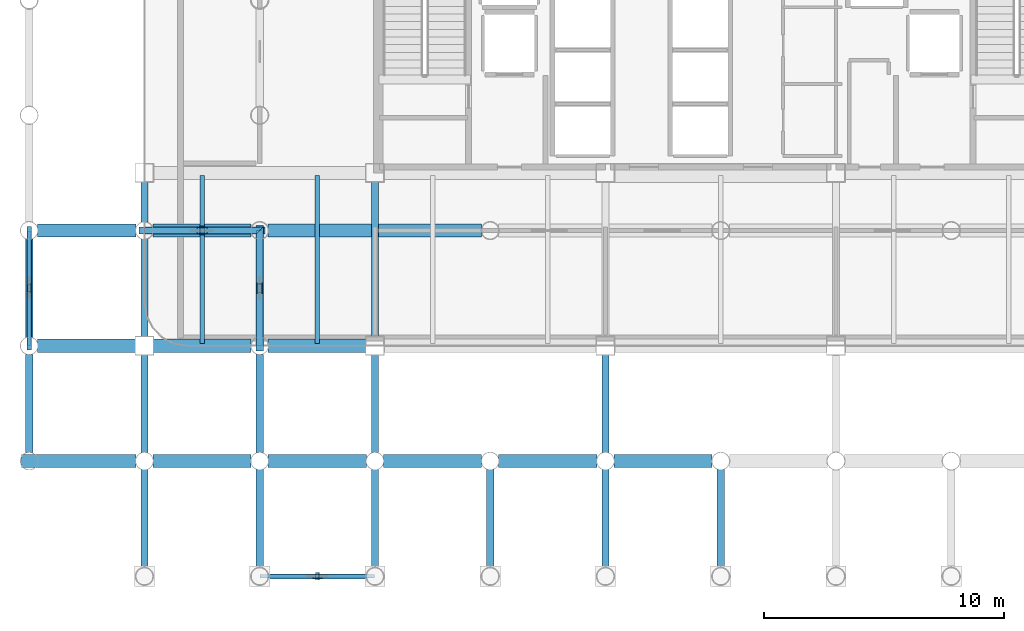
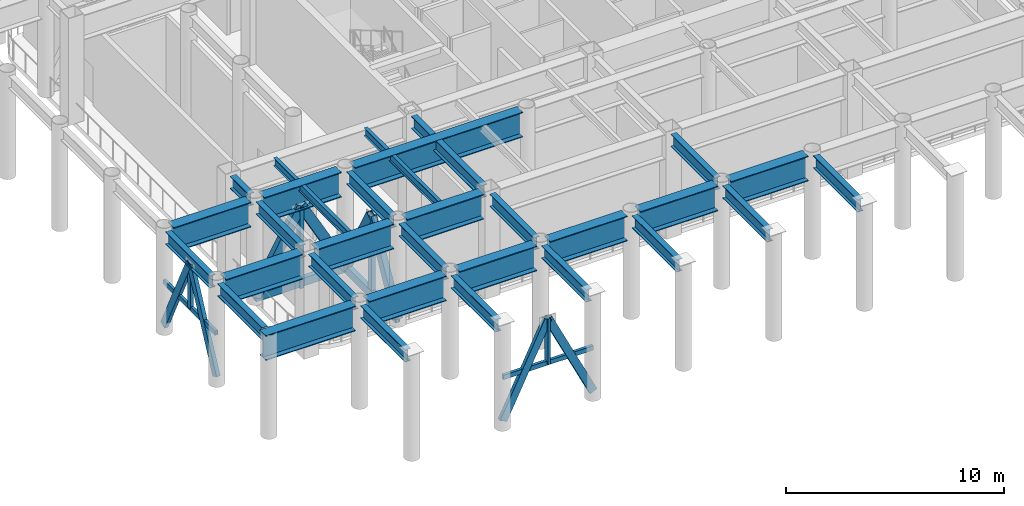
# One storey, part 3 of 19: 30 beams, 16 members.
"""IFC4 building model written with IfcOpenShell, lengths in metres."""

from ifc_helpers import new_model, si_unit, direction, frame, origin, origin_2d, place, context, subcontext, project, spatial, hollow_rectangle, i_section, extrude, material, material_profile, profile_set, type_object, element, save


model = new_model("IFC4")

# Units and contexts
model_context = context("Model", 3, precision=1e-05, world=origin(), true_north=direction((0.0, 1.0)))
body_context = subcontext(model_context, "Body", "Model", "MODEL_VIEW")
ifc_project = project(units=[si_unit("LENGTHUNIT", "METRE"), si_unit("AREAUNIT", "SQUARE_METRE"), si_unit("VOLUMEUNIT", "CUBIC_METRE"), si_unit("PLANEANGLEUNIT", "RADIAN"), si_unit("MASSUNIT", "GRAM", prefix="KILO")], contexts=[model_context])

# Site, building, storey
site_placement = place(None, origin())
site = spatial("IfcSite", under=ifc_project, at=site_placement, CompositionType="ELEMENT")
building_placement = place(site_placement, origin())
building = spatial("IfcBuilding", under=site, at=building_placement, Name="Kallvorn Hotel Tower", CompositionType="ELEMENT")
storey_placement = place(building_placement, frame((0.0, 0.0, 89.199951171875)))
storey = spatial("IfcBuildingStorey", under=building, at=storey_placement, Name="L21", CompositionType="ELEMENT", Elevation=89.199951171875)

# Beams
ifc_material_1 = material(Name="Structural steel S355JR", Category="steel")
ifc_material_profile_1 = material_profile(ifc_material_1, i_section(OverallWidth=0.300048828125, OverallDepth=0.699951171875, WebThickness=0.01708984375, FlangeThickness=0.031982421875, at=origin_2d()), Name="HE 700 B")
ifc_profile_set_1 = profile_set([ifc_material_profile_1], Name="Structural steel S355JR")
beam_type_1 = type_object("IfcBeamType", Name="BM_HE700B", PredefinedType="BEAM", material=ifc_profile_set_1)
for number, where, z_axis, x_axis, name in (
    (1, (-28.800048828125, -18.843994140625, 5.469970703125), (0.0, 1.0, 0.0), (-1.0, 0.0, 0.0), "L22 Primary Y-Girder 86"),
    (2, (-28.800048828125, -14.0439453125, 5.469970703125), (0.0, 1.0, 0.0), (-1.0, 0.0, 0.0), "L22 Primary Y-Girder 87"),
):
    element("IfcBeam", number, at=place(storey_placement, frame(where, z_axis=z_axis, x_axis=x_axis)), inside=storey, type_object=beam_type_1, Name=name, PredefinedType="BEAM", context=body_context, shape_type="SweptSolid", body=[
        extrude(i_section(OverallWidth=0.300048828125, OverallDepth=0.699951171875, WebThickness=0.01708984375, FlangeThickness=0.031982421875, at=origin_2d()), origin(), (0.0, 0.0, 1.0), 4.087890625),
    ])
beam_1_placement = place(storey_placement, frame((-24.0, -23.64404296875, 5.469970703125), z_axis=(0.0, 1.0, 0.0), x_axis=(-1.0, 0.0, 0.0)))
element("IfcBeam", 3, at=beam_1_placement, inside=storey, type_object=beam_type_1, Name="L22 Primary Y-Girder 94", PredefinedType="BEAM", context=body_context, shape_type="SweptSolid", body=[
    extrude(i_section(OverallWidth=0.300048828125, OverallDepth=0.699951171875, WebThickness=0.01708984375, FlangeThickness=0.031982421875, at=origin_2d()), origin(), (0.0, 0.0, 1.0), 4.088134765625),
])
beam_2_placement = place(storey_placement, frame((-24.0, -18.843994140625, 5.469970703125), z_axis=(0.0, 1.0, 0.0), x_axis=(-1.0, 0.0, 0.0)))
element("IfcBeam", 4, at=beam_2_placement, inside=storey, type_object=beam_type_1, Name="L22 Primary Y-Girder 95", PredefinedType="BEAM", context=body_context, shape_type="SweptSolid", body=[
    extrude(i_section(OverallWidth=0.300048828125, OverallDepth=0.699951171875, WebThickness=0.01708984375, FlangeThickness=0.031982421875, at=origin_2d()), origin(), (0.0, 0.0, 1.0), 4.069091796875),
])
beam_3_placement = place(storey_placement, frame((-24.0, -14.02490234375, 5.469970703125), z_axis=(0.0, 1.0, 0.0), x_axis=(-1.0, 0.0, 0.0)))
element("IfcBeam", 5, at=beam_3_placement, inside=storey, type_object=beam_type_1, Name="L22 Primary Y-Girder 96", PredefinedType="BEAM", context=body_context, shape_type="SweptSolid", body=[
    extrude(i_section(OverallWidth=0.300048828125, OverallDepth=0.699951171875, WebThickness=0.01708984375, FlangeThickness=0.031982421875, at=origin_2d()), origin(), (0.0, 0.0, 1.0), 4.06884765625),
])
beam_4_placement = place(storey_placement, frame((-24.0, -9.243896484375, 5.469970703125), z_axis=(0.0, 1.0, 0.0), x_axis=(-1.0, 0.0, 0.0)))
element("IfcBeam", 6, at=beam_4_placement, inside=storey, type_object=beam_type_1, Name="L22 Primary Y-Girder 97", PredefinedType="BEAM", context=body_context, shape_type="SweptSolid", body=[
    extrude(i_section(OverallWidth=0.300048828125, OverallDepth=0.699951171875, WebThickness=0.01708984375, FlangeThickness=0.031982421875, at=origin_2d()), origin(), (0.0, 0.0, 1.0), 1.6689453125),
])
beam_5_placement = place(storey_placement, frame((-19.199951171875, -23.64404296875, 5.469970703125), z_axis=(0.0, 1.0, 0.0), x_axis=(-1.0, 0.0, 0.0)))
element("IfcBeam", 7, at=beam_5_placement, inside=storey, type_object=beam_type_1, Name="L22 Primary Y-Girder 101", PredefinedType="BEAM", context=body_context, shape_type="SweptSolid", body=[
    extrude(i_section(OverallWidth=0.300048828125, OverallDepth=0.699951171875, WebThickness=0.01708984375, FlangeThickness=0.031982421875, at=origin_2d()), origin(), (0.0, 0.0, 1.0), 4.088134765625),
])
for number, where, z_axis, x_axis, name in (
    (8, (-19.199951171875, -18.843994140625, 5.469970703125), (0.0, 1.0, 0.0), (-1.0, 0.0, 0.0), "L22 Primary Y-Girder 102"),
    (9, (-19.199951171875, -14.0439453125, 5.469970703125), (0.0, 1.0, 0.0), (-1.0, 0.0, 0.0), "L22 Primary Y-Girder 103"),
):
    element("IfcBeam", number, at=place(storey_placement, frame(where, z_axis=z_axis, x_axis=x_axis)), inside=storey, type_object=beam_type_1, Name=name, PredefinedType="BEAM", context=body_context, shape_type="SweptSolid", body=[
        extrude(i_section(OverallWidth=0.300048828125, OverallDepth=0.699951171875, WebThickness=0.01708984375, FlangeThickness=0.031982421875, at=origin_2d()), origin(), (0.0, 0.0, 1.0), 4.087890625),
    ])
beam_6_placement = place(storey_placement, frame((-14.39990234375, -23.64404296875, 5.469970703125), z_axis=(0.0, 1.0, 0.0), x_axis=(-1.0, 0.0, 0.0)))
element("IfcBeam", 10, at=beam_6_placement, inside=storey, type_object=beam_type_1, Name="L22 Primary Y-Girder 110", PredefinedType="BEAM", context=body_context, shape_type="SweptSolid", body=[
    extrude(i_section(OverallWidth=0.300048828125, OverallDepth=0.699951171875, WebThickness=0.01708984375, FlangeThickness=0.031982421875, at=origin_2d()), origin(), (0.0, 0.0, 1.0), 4.088134765625),
])
beam_7_placement = place(storey_placement, frame((-14.39990234375, -18.843994140625, 5.469970703125), z_axis=(0.0, 1.0, 0.0), x_axis=(-1.0, 0.0, 0.0)))
element("IfcBeam", 11, at=beam_7_placement, inside=storey, type_object=beam_type_1, Name="L22 Primary Y-Girder 111", PredefinedType="BEAM", context=body_context, shape_type="SweptSolid", body=[
    extrude(i_section(OverallWidth=0.300048828125, OverallDepth=0.699951171875, WebThickness=0.01708984375, FlangeThickness=0.031982421875, at=origin_2d()), origin(), (0.0, 0.0, 1.0), 4.069091796875),
])
beam_8_placement = place(storey_placement, frame((-14.39990234375, -14.02490234375, 5.469970703125), z_axis=(0.0, 1.0, 0.0), x_axis=(-1.0, 0.0, 0.0)))
element("IfcBeam", 12, at=beam_8_placement, inside=storey, type_object=beam_type_1, Name="L22 Primary Y-Girder 112", PredefinedType="BEAM", context=body_context, shape_type="SweptSolid", body=[
    extrude(i_section(OverallWidth=0.300048828125, OverallDepth=0.699951171875, WebThickness=0.01708984375, FlangeThickness=0.031982421875, at=origin_2d()), origin(), (0.0, 0.0, 1.0), 6.449951171875),
])
for number, where, z_axis, x_axis, name in (
    (13, (-9.60009765625, -23.64404296875, 5.469970703125), (0.0, 1.0, 0.0), (-1.0, 0.0, 0.0), "L22 Primary Y-Girder 115"),
    (14, (-4.800048828125, -23.64404296875, 5.469970703125), (0.0, 1.0, 0.0), (-1.0, 0.0, 0.0), "L22 Primary Y-Girder 118"),
):
    element("IfcBeam", number, at=place(storey_placement, frame(where, z_axis=z_axis, x_axis=x_axis)), inside=storey, type_object=beam_type_1, Name=name, PredefinedType="BEAM", context=body_context, shape_type="SweptSolid", body=[
        extrude(i_section(OverallWidth=0.300048828125, OverallDepth=0.699951171875, WebThickness=0.01708984375, FlangeThickness=0.031982421875, at=origin_2d()), origin(), (0.0, 0.0, 1.0), 4.088134765625),
    ])
beam_9_placement = place(storey_placement, frame((-4.800048828125, -18.843994140625, 5.469970703125), z_axis=(0.0, 1.0, 0.0), x_axis=(-1.0, 0.0, 0.0)))
element("IfcBeam", 15, at=beam_9_placement, inside=storey, type_object=beam_type_1, Name="L22 Primary Y-Girder 119", PredefinedType="BEAM", context=body_context, shape_type="SweptSolid", body=[
    extrude(i_section(OverallWidth=0.300048828125, OverallDepth=0.699951171875, WebThickness=0.01708984375, FlangeThickness=0.031982421875, at=origin_2d()), origin(), (0.0, 0.0, 1.0), 4.069091796875),
])
beam_10_placement = place(storey_placement, frame((0.0, -23.64404296875, 5.469970703125), z_axis=(0.0, 1.0, 0.0), x_axis=(-1.0, 0.0, 0.0)))
element("IfcBeam", 16, at=beam_10_placement, inside=storey, type_object=beam_type_1, Name="L22 Primary Y-Girder 123", PredefinedType="BEAM", context=body_context, shape_type="SweptSolid", body=[
    extrude(i_section(OverallWidth=0.300048828125, OverallDepth=0.699951171875, WebThickness=0.01708984375, FlangeThickness=0.031982421875, at=origin_2d()), origin(), (0.0, 0.0, 1.0), 4.088134765625),
])
ifc_material_2 = material(Name="Structural steel S355JR", Category="steel")
ifc_material_profile_2 = material_profile(ifc_material_2, i_section(OverallWidth=0.18994140625, OverallDepth=0.449951171875, WebThickness=0.009521484375, FlangeThickness=0.0146484375, at=origin_2d()), Name="IPE 450")
ifc_profile_set_2 = profile_set([ifc_material_profile_2], Name="Structural steel S355JR")
beam_type_2 = type_object("IfcBeamType", Name="BM_IPE450", PredefinedType="JOIST", material=ifc_profile_set_2)
for number, where, z_axis, x_axis, name in (
    (17, (-21.60009765625, -14.300048828125, 5.594970703125), (0.0, 1.0, 0.0), (-1.0, 0.0, 0.0), "L22 Secondary Composite Joist 205"),
    (18, (-16.800048828125, -14.300048828125, 5.594970703125), (0.0, 1.0, 0.0), (-1.0, 0.0, 0.0), "L22 Secondary Composite Joist 207"),
):
    element("IfcBeam", number, at=place(storey_placement, frame(where, z_axis=z_axis, x_axis=x_axis)), inside=storey, type_object=beam_type_2, Name=name, PredefinedType="JOIST", context=body_context, shape_type="SweptSolid", body=[
        extrude(i_section(OverallWidth=0.18994140625, OverallDepth=0.449951171875, WebThickness=0.009521484375, FlangeThickness=0.0146484375, at=origin_2d()), origin(), (0.0, 0.0, 1.0), 7.0),
    ])
ifc_material_3 = material(Name="Structural steel S355JR", Category="steel")
ifc_material_profile_3 = material_profile(ifc_material_3, i_section(OverallWidth=0.550048828125, OverallDepth=1.39990234375, WebThickness=0.02490234375, FlangeThickness=0.044921875, at=origin_2d()), Name="PG 1400x550x25x45")
ifc_profile_set_3 = profile_set([ifc_material_profile_3], Name="Structural steel S355JR")
beam_type_3 = type_object("IfcBeamType", Name="BM_PG_1400", PredefinedType="BEAM", material=ifc_profile_set_3)
beam_11_placement = place(storey_placement, frame((-29.1201171875, -19.199951171875, 5.1201171875), z_axis=(1.0, 0.0, 0.0), x_axis=(0.0, 1.0, 0.0)))
element("IfcBeam", 19, at=beam_11_placement, inside=storey, type_object=beam_type_3, Name="L22 Primary X-Girder 14", PredefinedType="BEAM", context=body_context, shape_type="SweptSolid", body=[
    extrude(i_section(OverallWidth=0.550048828125, OverallDepth=1.39990234375, WebThickness=0.02490234375, FlangeThickness=0.044921875, at=origin_2d()), origin(), (0.0, 0.0, 1.0), 4.76416015625),
])
beam_12_placement = place(storey_placement, frame((-23.64404296875, -19.199951171875, 5.1201171875), z_axis=(1.0, 0.0, 0.0), x_axis=(0.0, 1.0, 0.0)))
element("IfcBeam", 20, at=beam_12_placement, inside=storey, type_object=beam_type_3, Name="L22 Primary X-Girder 15", PredefinedType="BEAM", context=body_context, shape_type="SweptSolid", body=[
    extrude(i_section(OverallWidth=0.550048828125, OverallDepth=1.39990234375, WebThickness=0.02490234375, FlangeThickness=0.044921875, at=origin_2d()), origin(), (0.0, 0.0, 1.0), 4.088134765625),
])
for number, where, z_axis, x_axis, name in (
    (21, (-18.843994140625, -19.199951171875, 5.1201171875), (1.0, 0.0, 0.0), (0.0, 1.0, 0.0), "L22 Primary X-Girder 16"),
    (22, (-14.0439453125, -19.199951171875, 5.1201171875), (1.0, 0.0, 0.0), (0.0, 1.0, 0.0), "L22 Primary X-Girder 17"),
    (23, (-9.243896484375, -19.199951171875, 5.1201171875), (1.0, 0.0, 0.0), (0.0, 1.0, 0.0), "L22 Primary X-Girder 18"),
):
    element("IfcBeam", number, at=place(storey_placement, frame(where, z_axis=z_axis, x_axis=x_axis)), inside=storey, type_object=beam_type_3, Name=name, PredefinedType="BEAM", context=body_context, shape_type="SweptSolid", body=[
        extrude(i_section(OverallWidth=0.550048828125, OverallDepth=1.39990234375, WebThickness=0.02490234375, FlangeThickness=0.044921875, at=origin_2d()), origin(), (0.0, 0.0, 1.0), 4.087890625),
    ])
beam_13_placement = place(storey_placement, frame((-4.444091796875, -19.199951171875, 5.1201171875), z_axis=(1.0, 0.0, 0.0), x_axis=(0.0, 1.0, 0.0)))
element("IfcBeam", 24, at=beam_13_placement, inside=storey, type_object=beam_type_3, Name="L22 Primary X-Girder 19", PredefinedType="BEAM", context=body_context, shape_type="SweptSolid", body=[
    extrude(i_section(OverallWidth=0.550048828125, OverallDepth=1.39990234375, WebThickness=0.02490234375, FlangeThickness=0.044921875, at=origin_2d()), origin(), (0.0, 0.0, 1.0), 4.088134765625),
])
for number, where, z_axis, x_axis, name in (
    (25, (-28.444091796875, -14.39990234375, 5.1201171875), (1.0, 0.0, 0.0), (0.0, 1.0, 0.0), "L22 Primary X-Girder 27"),
    (26, (-23.625, -14.39990234375, 5.1201171875), (1.0, 0.0, 0.0), (0.0, 1.0, 0.0), "L22 Primary X-Girder 28"),
    (27, (-18.843994140625, -14.39990234375, 5.1201171875), (1.0, 0.0, 0.0), (0.0, 1.0, 0.0), "L22 Primary X-Girder 29"),
):
    element("IfcBeam", number, at=place(storey_placement, frame(where, z_axis=z_axis, x_axis=x_axis)), inside=storey, type_object=beam_type_3, Name=name, PredefinedType="BEAM", context=body_context, shape_type="SweptSolid", body=[
        extrude(i_section(OverallWidth=0.550048828125, OverallDepth=1.39990234375, WebThickness=0.02490234375, FlangeThickness=0.044921875, at=origin_2d()), origin(), (0.0, 0.0, 1.0), 4.069091796875),
    ])
for number, where, z_axis, x_axis, name in (
    (28, (-28.444091796875, -9.60009765625, 5.1201171875), (1.0, 0.0, 0.0), (0.0, 1.0, 0.0), "L22 Primary X-Girder 37"),
    (29, (-23.64404296875, -9.60009765625, 5.1201171875), (1.0, 0.0, 0.0), (0.0, 1.0, 0.0), "L22 Primary X-Girder 38"),
):
    element("IfcBeam", number, at=place(storey_placement, frame(where, z_axis=z_axis, x_axis=x_axis)), inside=storey, type_object=beam_type_3, Name=name, PredefinedType="BEAM", context=body_context, shape_type="SweptSolid", body=[
        extrude(i_section(OverallWidth=0.550048828125, OverallDepth=1.39990234375, WebThickness=0.02490234375, FlangeThickness=0.044921875, at=origin_2d()), origin(), (0.0, 0.0, 1.0), 4.088134765625),
    ])
beam_14_placement = place(storey_placement, frame((-18.843994140625, -9.60009765625, 5.1201171875), z_axis=(1.0, 0.0, 0.0), x_axis=(0.0, 1.0, 0.0)))
element("IfcBeam", 30, at=beam_14_placement, inside=storey, type_object=beam_type_3, Name="L22 Primary X-Girder 39", PredefinedType="BEAM", context=body_context, shape_type="SweptSolid", body=[
    extrude(i_section(OverallWidth=0.550048828125, OverallDepth=1.39990234375, WebThickness=0.02490234375, FlangeThickness=0.044921875, at=origin_2d()), origin(), (0.0, 0.0, 1.0), 8.887939453125),
])

# Members
ifc_material_4 = material(Name="Structural steel S355J2H", Category="steel")
ifc_material_profile_4 = material_profile(ifc_material_4, hollow_rectangle(XDim=0.199951171875, YDim=0.39990234375, WallThickness=0.02001953125, at=origin_2d()), Name="RHS 400x200x20")
ifc_profile_set_4 = profile_set([ifc_material_profile_4], Name="Structural steel S355J2H")
member_type_1 = type_object("IfcMemberType", Name="MBR_BELT_RHS400", PredefinedType="BRACE", material=ifc_profile_set_4)
member_1_placement = place(storey_placement, frame((-19.191162109375, -24.0, 0.3681640625), z_axis=(0.439148786384, 0.0, 0.898414349517), x_axis=(0.0, 1.0, 0.0)))
element("IfcMember", 31, at=member_1_placement, inside=storey, type_object=member_type_1, Name="L21 Belt Truss Diagonal 1A", PredefinedType="BRACE", context=body_context, shape_type="SweptSolid", body=[
    extrude(hollow_rectangle(XDim=0.199951171875, YDim=0.39990234375, WallThickness=0.02001953125, at=origin_2d()), origin(), (0.0, 0.0, 1.0), 5.4248046875),
])
member_2_placement = place(storey_placement, frame((-14.40869140625, -24.0, 0.3681640625), z_axis=(-0.439185110191, 0.0, 0.898396593374), x_axis=(0.0, -1.0, 0.0)))
element("IfcMember", 32, at=member_2_placement, inside=storey, type_object=member_type_1, Name="L21 Belt Truss Diagonal 1B", PredefinedType="BRACE", context=body_context, shape_type="SweptSolid", body=[
    extrude(hollow_rectangle(XDim=0.199951171875, YDim=0.39990234375, WallThickness=0.02001953125, at=origin_2d()), origin(), (0.0, 0.0, 1.0), 5.425048828125),
])
for number, where, z_axis, x_axis, name in (
    (33, (-28.800048828125, -14.39111328125, 0.3681640625), (0.0, 0.439148786384, 0.898414349517), (-1.0, 0.0, 0.0), "L21 Belt Truss Diagonal 5A"),
    (34, (-28.800048828125, -9.60888671875, 0.3681640625), (0.0, -0.439148786384, 0.898414349517), (1.0, 0.0, 0.0), "L21 Belt Truss Diagonal 5B"),
):
    element("IfcMember", number, at=place(storey_placement, frame(where, z_axis=z_axis, x_axis=x_axis)), inside=storey, type_object=member_type_1, Name=name, PredefinedType="BRACE", context=body_context, shape_type="SweptSolid", body=[
        extrude(hollow_rectangle(XDim=0.199951171875, YDim=0.39990234375, WallThickness=0.02001953125, at=origin_2d()), origin(), (0.0, 0.0, 1.0), 5.4248046875),
    ])
ifc_material_5 = material(Name="Structural steel S355J2H", Category="steel")
ifc_material_profile_5 = material_profile(ifc_material_5, hollow_rectangle(XDim=0.25, YDim=0.449951171875, WallThickness=0.02197265625, at=origin_2d()), Name="RHS 450x250x22")
ifc_profile_set_5 = profile_set([ifc_material_profile_5], Name="Structural steel S355J2H")
member_type_2 = type_object("IfcMemberType", Name="MBR_CHORD_RHS450", PredefinedType="CHORD", material=ifc_profile_set_5)
member_3_placement = place(storey_placement, frame((-24.0, -9.60009765625, 0.239990234375), z_axis=(1.0, 0.0, 0.0), x_axis=(0.0, 1.0, 0.0)))
element("IfcMember", 35, at=member_3_placement, inside=storey, type_object=member_type_2, Name="L21 Outrigger Truss Bottom Chord OTW1", PredefinedType="CHORD", context=body_context, shape_type="SweptSolid", body=[
    extrude(hollow_rectangle(XDim=0.25, YDim=0.449951171875, WallThickness=0.02197265625, at=origin_2d()), origin(), (0.0, 0.0, 1.0), 4.800048828125),
])
member_4_placement = place(storey_placement, frame((-19.199951171875, -14.39990234375, 0.239990234375), z_axis=(0.0, 1.0, 0.0), x_axis=(-1.0, 0.0, 0.0)))
element("IfcMember", 36, at=member_4_placement, inside=storey, type_object=member_type_2, Name="L21 Outrigger Truss Bottom Chord OTS1", PredefinedType="CHORD", context=body_context, shape_type="SweptSolid", body=[
    extrude(hollow_rectangle(XDim=0.25, YDim=0.449951171875, WallThickness=0.02197265625, at=origin_2d()), origin(), (0.0, 0.0, 1.0), 4.7998046875),
])
ifc_material_6 = material(Name="Structural steel S355J2H", Category="steel")
ifc_material_profile_6 = material_profile(ifc_material_6, hollow_rectangle(XDim=0.14990234375, YDim=0.25, WallThickness=0.010009765625, at=origin_2d()), Name="RHS 250x150x10")
ifc_profile_set_6 = profile_set([ifc_material_profile_6], Name="Structural steel S355J2H")
member_type_3 = type_object("IfcMemberType", Name="MBR_COLLAR_RHS250", PredefinedType="COLLAR", material=ifc_profile_set_6)
member_5_placement = place(storey_placement, frame((-19.179931640625, -24.0, 2.78515625), z_axis=(1.0, 0.0, 0.0), x_axis=(0.0, 1.0, 0.0)))
element("IfcMember", 37, at=member_5_placement, inside=storey, type_object=member_type_3, Name="L21 Belt Truss Tie Collar 1", PredefinedType="COLLAR", context=body_context, shape_type="SweptSolid", body=[
    extrude(hollow_rectangle(XDim=0.14990234375, YDim=0.25, WallThickness=0.010009765625, at=origin_2d()), origin(), (0.0, 0.0, 1.0), 4.760009765625),
])
member_6_placement = place(storey_placement, frame((-28.800048828125, -14.3798828125, 2.78515625), z_axis=(0.0, 1.0, 0.0), x_axis=(-1.0, 0.0, 0.0)))
element("IfcMember", 38, at=member_6_placement, inside=storey, type_object=member_type_3, Name="L21 Belt Truss Tie Collar 5", PredefinedType="COLLAR", context=body_context, shape_type="SweptSolid", body=[
    extrude(hollow_rectangle(XDim=0.14990234375, YDim=0.25, WallThickness=0.010009765625, at=origin_2d()), origin(), (0.0, 0.0, 1.0), 4.759765625),
])
ifc_material_7 = material(Name="Structural steel S355J2H", Category="steel")
ifc_material_profile_7 = material_profile(ifc_material_7, hollow_rectangle(XDim=0.300048828125, YDim=0.5, WallThickness=0.02490234375, at=origin_2d()), Name="RHS 500x300x25")
ifc_profile_set_7 = profile_set([ifc_material_profile_7], Name="Structural steel S355J2H")
member_type_4 = type_object("IfcMemberType", Name="MBR_OUTRIGGER_RHS500", PredefinedType="BRACE", material=ifc_profile_set_7)
member_7_placement = place(storey_placement, frame((-24.0, -9.60009765625, 0.239990234375), z_axis=(0.485621958479, 0.0, 0.874168927292), x_axis=(0.0, 1.0, 0.0)))
element("IfcMember", 39, at=member_7_placement, inside=storey, type_object=member_type_4, Name="L21 Outrigger Truss Diagonal OTW1A", PredefinedType="BRACE", context=body_context, shape_type="SweptSolid", body=[
    extrude(hollow_rectangle(XDim=0.300048828125, YDim=0.5, WallThickness=0.02490234375, at=origin_2d()), origin(), (0.0, 0.0, 1.0), 4.94189453125),
])
member_8_placement = place(storey_placement, frame((-19.199951171875, -9.60009765625, 0.239990234375), z_axis=(-0.485659708735, 0.0, 0.874147955046), x_axis=(0.0, -1.0, 0.0)))
element("IfcMember", 40, at=member_8_placement, inside=storey, type_object=member_type_4, Name="L21 Outrigger Truss Diagonal OTW1B", PredefinedType="BRACE", context=body_context, shape_type="SweptSolid", body=[
    extrude(hollow_rectangle(XDim=0.300048828125, YDim=0.5, WallThickness=0.02490234375, at=origin_2d()), origin(), (0.0, 0.0, 1.0), 4.942138671875),
])
for number, where, z_axis, x_axis, name in (
    (41, (-19.199951171875, -14.39990234375, 0.239990234375), (0.0, 0.485621958479, 0.874168927292), (-1.0, 0.0, 0.0), "L21 Outrigger Truss Diagonal OTS1A"),
    (42, (-19.199951171875, -9.60009765625, 0.239990234375), (0.0, -0.485621958479, 0.874168927292), (1.0, 0.0, 0.0), "L21 Outrigger Truss Diagonal OTS1B"),
):
    element("IfcMember", number, at=place(storey_placement, frame(where, z_axis=z_axis, x_axis=x_axis)), inside=storey, type_object=member_type_4, Name=name, PredefinedType="BRACE", context=body_context, shape_type="SweptSolid", body=[
        extrude(hollow_rectangle(XDim=0.300048828125, YDim=0.5, WallThickness=0.02490234375, at=origin_2d()), origin(), (0.0, 0.0, 1.0), 4.94189453125),
    ])
ifc_material_8 = material(Name="Structural steel S355J2H", Category="steel")
ifc_material_profile_8 = material_profile(ifc_material_8, hollow_rectangle(XDim=0.199951171875, YDim=0.35009765625, WallThickness=0.01611328125, at=origin_2d()), Name="RHS 350x200x16")
ifc_profile_set_8 = profile_set([ifc_material_profile_8], Name="Structural steel S355J2H")
member_type_5 = type_object("IfcMemberType", Name="MBR_POST_RHS350", PredefinedType="POST", material=ifc_profile_set_8)
for number, where, z_axis, x_axis, name in (
    (43, (-21.60009765625, -9.60009765625, -0.0400390625), (0.0, 0.0, 1.0), (1.0, 0.0, 0.0), "L21 Outrigger Truss Post OTW1"),
    (44, (-19.199951171875, -12.0, -0.0400390625), (0.0, 0.0, 1.0), (1.0, 0.0, 0.0), "L21 Outrigger Truss Post OTS1"),
):
    element("IfcMember", number, at=place(storey_placement, frame(where, z_axis=z_axis, x_axis=x_axis)), inside=storey, type_object=member_type_5, Name=name, PredefinedType="POST", context=body_context, shape_type="SweptSolid", body=[
        extrude(hollow_rectangle(XDim=0.199951171875, YDim=0.35009765625, WallThickness=0.01611328125, at=origin_2d()), origin(), (0.0, 0.0, 1.0), 4.5400390625),
    ])
ifc_material_9 = material(Name="Structural steel S355J2H", Category="steel")
ifc_material_profile_9 = material_profile(ifc_material_9, hollow_rectangle(XDim=0.14990234375, YDim=0.300048828125, WallThickness=0.012451171875, at=origin_2d()), Name="RHS 300x150x12.5")
ifc_profile_set_9 = profile_set([ifc_material_profile_9], Name="Structural steel S355J2H")
member_type_6 = type_object("IfcMemberType", Name="MBR_STRUT_RHS300", PredefinedType="STRUT", material=ifc_profile_set_9)
for number, where, z_axis, x_axis, name in (
    (45, (-16.800048828125, -24.0, 2.735107421875), (0.0, 0.0, 1.0), (1.0, 0.0, 0.0), "L21 Belt Truss Strut 1"),
    (46, (-28.800048828125, -12.0, 2.735107421875), (0.0, 0.0, 1.0), (1.0, 0.0, 0.0), "L21 Belt Truss Strut 5"),
):
    element("IfcMember", number, at=place(storey_placement, frame(where, z_axis=z_axis, x_axis=x_axis)), inside=storey, type_object=member_type_6, Name=name, PredefinedType="STRUT", context=body_context, shape_type="SweptSolid", body=[
        extrude(hollow_rectangle(XDim=0.14990234375, YDim=0.300048828125, WallThickness=0.012451171875, at=origin_2d()), origin(), (0.0, 0.0, 1.0), 2.56494140625),
    ])

save(model, "model.ifc")
